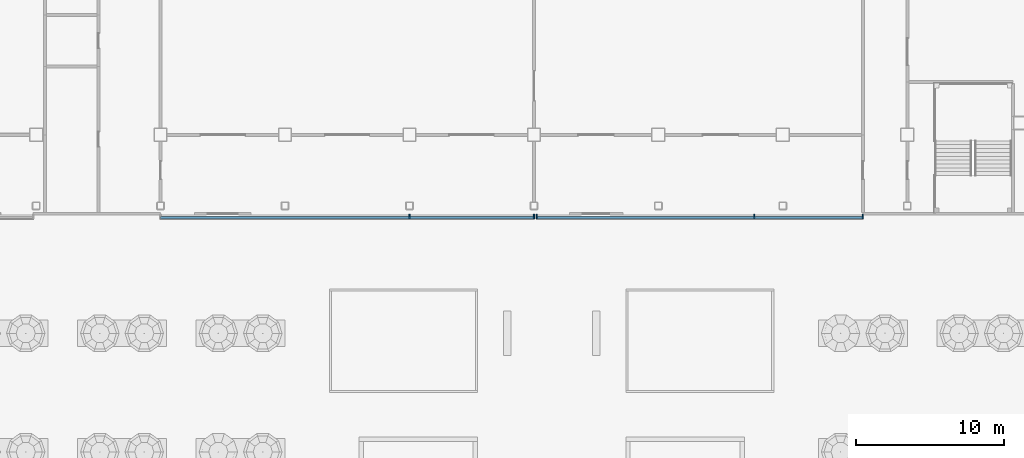
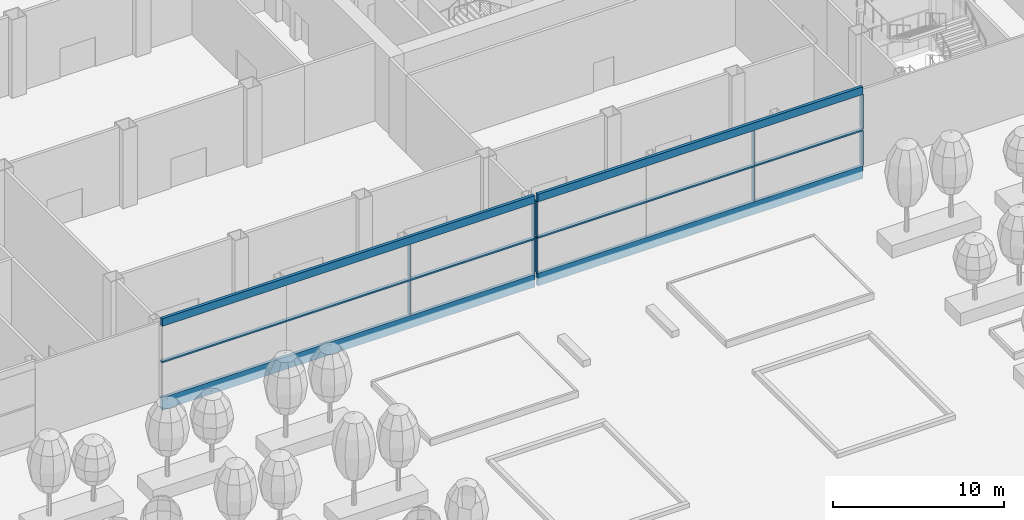
# One storey, part 13 of 100: 16 members, 2 elements without a shape of their own.
"""IFC4 building model written with IfcOpenShell, lengths in metres."""

from ifc_helpers import new_model, si_unit, direction, frame, origin, origin_2d, place, context, subcontext, project, spatial, rectangle, extrude, material, layer, layer_set, material_profile, profile_set, type_object, element, aggregate, save


model = new_model("IFC4")

# Units and contexts
model_context = context("Model", 3, precision=1e-05, world=origin(), true_north=direction((0.0, 1.0)))
body_context = subcontext(model_context, "Body", "Model", "MODEL_VIEW")
ifc_project = project(units=[si_unit("LENGTHUNIT", "METRE"), si_unit("AREAUNIT", "SQUARE_METRE"), si_unit("VOLUMEUNIT", "CUBIC_METRE"), si_unit("PLANEANGLEUNIT", "RADIAN"), si_unit("MASSUNIT", "GRAM", prefix="KILO")], contexts=[model_context])

# Site, building, storey
site_placement = place(None, origin())
site = spatial("IfcSite", under=ifc_project, at=site_placement, CompositionType="ELEMENT")
building_placement = place(site_placement, origin())
building = spatial("IfcBuilding", under=site, at=building_placement, Name="Hakoniwa Tower and Hamabe Station Hall", CompositionType="ELEMENT")
storey_placement = place(building_placement, frame((0.0, 0.0, 9.0)))
storey = spatial("IfcBuildingStorey", under=building, at=storey_placement, Name="L02", CompositionType="ELEMENT", Elevation=9.0)

# Curtain wall, member
ifc_material_1 = material(Name="Dark low-e laminated glass", Category="glass")
ifc_layer = layer(ifc_material_1, 0.199951171875)
ifc_layer_set = layer_set([ifc_layer], Name="CW-3 PODIUM LOBBY")
curtain_wall_type = type_object("IfcCurtainWallType", Name="CW-3 PODIUM LOBBY", PredefinedType="NOTDEFINED", material=ifc_layer_set)
curtain_wall_1_placement = place(storey_placement, origin())
curtain_wall_1 = element("IfcCurtainWall", 1, at=curtain_wall_1_placement, inside=storey, type_object=curtain_wall_type, Name="Podium curtain wall L02 south 2", PredefinedType="NOTDEFINED")
ifc_material_2 = material(Name="Aluminium 6063-T5 black anodised", Category="aluminium")
ifc_material_profile_1 = material_profile(ifc_material_2, rectangle(XDim=0.199951171875, YDim=0.550048828125, at=origin_2d()), Name="CW HEAD BAND 550X200")
ifc_profile_set_1 = profile_set([ifc_material_profile_1], Name="Aluminium 6063-T5 black anodised")
member_type_1 = type_object("IfcMemberType", Name="CW HEAD BAND 550X200", PredefinedType="USERDEFINED", material=ifc_profile_set_1)
member_1_placement = place(storey_placement, frame((-8.39990234375, -25.199951171875, 5.72509765625), z_axis=(1.0, 0.0, 0.0), x_axis=(0.0, 1.0, 0.0)))
member_1 = element("IfcMember", 2, at=member_1_placement, type_object=member_type_1, Name="CW-3 transom", ObjectType="TRANSOM", PredefinedType="USERDEFINED", context=body_context, shape_type="SweptSolid", body=[
    extrude(rectangle(XDim=0.199951171875, YDim=0.550048828125, at=origin_2d()), origin(), (0.0, 0.0, 1.0), 25.199951171875),
])

curtain_wall_2_placement = place(storey_placement, origin())
curtain_wall_2 = element("IfcCurtainWall", 3, at=curtain_wall_2_placement, inside=storey, type_object=curtain_wall_type, Name="Podium curtain wall L02 south 3", PredefinedType="NOTDEFINED")
member_2_placement = place(storey_placement, frame((17.0, -25.199951171875, 5.72509765625), z_axis=(1.0, 0.0, 0.0), x_axis=(0.0, 1.0, 0.0)))
member_2 = element("IfcMember", 4, at=member_2_placement, type_object=member_type_1, Name="CW-3 transom", ObjectType="TRANSOM", PredefinedType="USERDEFINED", context=body_context, shape_type="SweptSolid", body=[
    extrude(rectangle(XDim=0.199951171875, YDim=0.550048828125, at=origin_2d()), origin(), (0.0, 0.0, 1.0), 22.0),
])

# Member
ifc_material_3 = material(Name="Aluminium 6063-T5 black anodised", Category="aluminium")
ifc_material_profile_2 = material_profile(ifc_material_3, rectangle(XDim=0.199951171875, YDim=0.1201171875, at=origin_2d()), Name="CW MID TRANSOM 120X200")
ifc_profile_set_2 = profile_set([ifc_material_profile_2], Name="Aluminium 6063-T5 black anodised")
member_type_2 = type_object("IfcMemberType", Name="CW MID TRANSOM 120X200", PredefinedType="USERDEFINED", material=ifc_profile_set_2)
member_3_placement = place(storey_placement, frame((-8.39990234375, -25.199951171875, 2.89990234375), z_axis=(1.0, 0.0, 0.0), x_axis=(0.0, 1.0, 0.0)))
member_3 = element("IfcMember", 5, at=member_3_placement, type_object=member_type_2, Name="CW-3 transom", ObjectType="TRANSOM", PredefinedType="USERDEFINED", context=body_context, shape_type="SweptSolid", body=[
    extrude(rectangle(XDim=0.199951171875, YDim=0.1201171875, at=origin_2d()), origin(), (0.0, 0.0, 1.0), 25.199951171875),
])

member_4_placement = place(storey_placement, frame((17.0, -25.199951171875, 2.89990234375), z_axis=(1.0, 0.0, 0.0), x_axis=(0.0, 1.0, 0.0)))
member_4 = element("IfcMember", 6, at=member_4_placement, type_object=member_type_2, Name="CW-3 transom", ObjectType="TRANSOM", PredefinedType="USERDEFINED", context=body_context, shape_type="SweptSolid", body=[
    extrude(rectangle(XDim=0.199951171875, YDim=0.1201171875, at=origin_2d()), origin(), (0.0, 0.0, 1.0), 22.0),
])

ifc_material_4 = material(Name="Aluminium 6063-T5 black anodised", Category="aluminium")
ifc_material_profile_3 = material_profile(ifc_material_4, rectangle(XDim=0.199951171875, YDim=0.89990234375, at=origin_2d()), Name="CW SLAB-EDGE BAND 900X200")
ifc_profile_set_3 = profile_set([ifc_material_profile_3], Name="Aluminium 6063-T5 black anodised")
member_type_3 = type_object("IfcMemberType", Name="CW SLAB-EDGE BAND 900X200", PredefinedType="USERDEFINED", material=ifc_profile_set_3)
member_5_placement = place(storey_placement, frame((-8.39990234375, -25.199951171875, -0.10009765625), z_axis=(1.0, 0.0, 0.0), x_axis=(0.0, 1.0, 0.0)))
member_5 = element("IfcMember", 7, at=member_5_placement, type_object=member_type_3, Name="CW-3 transom", ObjectType="TRANSOM", PredefinedType="USERDEFINED", context=body_context, shape_type="SweptSolid", body=[
    extrude(rectangle(XDim=0.199951171875, YDim=0.89990234375, at=origin_2d()), origin(), (0.0, 0.0, 1.0), 25.199951171875),
])

member_6_placement = place(storey_placement, frame((17.0, -25.199951171875, -0.10009765625), z_axis=(1.0, 0.0, 0.0), x_axis=(0.0, 1.0, 0.0)))
member_6 = element("IfcMember", 8, at=member_6_placement, type_object=member_type_3, Name="CW-3 transom", ObjectType="TRANSOM", PredefinedType="USERDEFINED", context=body_context, shape_type="SweptSolid", body=[
    extrude(rectangle(XDim=0.199951171875, YDim=0.89990234375, at=origin_2d()), origin(), (0.0, 0.0, 1.0), 22.0),
])

ifc_material_5 = material(Name="Aluminium 6063-T5 black anodised", Category="aluminium")
ifc_material_profile_4 = material_profile(ifc_material_5, rectangle(XDim=0.080078125, YDim=0.300048828125, at=origin_2d()), Name="CW-3 MULLION 80X300")
ifc_profile_set_4 = profile_set([ifc_material_profile_4], Name="Aluminium 6063-T5 black anodised")
member_type_4 = type_object("IfcMemberType", Name="CW-3 MULLION 80X300", PredefinedType="MULLION", material=ifc_profile_set_4)
member_7_placement = place(storey_placement, frame((8.39990234375, -25.1220703125, 0.35009765625), z_axis=(0.0, 0.0, 1.0), x_axis=(1.0, 0.0, 0.0)))
member_7 = element("IfcMember", 9, at=member_7_placement, type_object=member_type_4, Name="CW-3 mullion", PredefinedType="MULLION", context=body_context, shape_type="SweptSolid", body=[
    extrude(rectangle(XDim=0.080078125, YDim=0.300048828125, at=origin_2d()), origin(), (0.0, 0.0, 1.0), 2.489990234375),
])

member_8_placement = place(storey_placement, frame((8.39990234375, -25.1220703125, 2.9599609375), z_axis=(0.0, 0.0, 1.0), x_axis=(1.0, 0.0, 0.0)))
member_8 = element("IfcMember", 10, at=member_8_placement, type_object=member_type_4, Name="CW-3 mullion", PredefinedType="MULLION", context=body_context, shape_type="SweptSolid", body=[
    extrude(rectangle(XDim=0.080078125, YDim=0.300048828125, at=origin_2d()), origin(), (0.0, 0.0, 1.0), 2.489990234375),
])

member_9_placement = place(storey_placement, frame((16.800048828125, -25.1220703125, 0.35009765625), z_axis=(0.0, 0.0, 1.0), x_axis=(1.0, 0.0, 0.0)))
member_9 = element("IfcMember", 11, at=member_9_placement, type_object=member_type_4, Name="CW-3 mullion", PredefinedType="MULLION", context=body_context, shape_type="SweptSolid", body=[
    extrude(rectangle(XDim=0.080078125, YDim=0.300048828125, at=origin_2d()), origin(), (0.0, 0.0, 1.0), 2.489990234375),
])

member_10_placement = place(storey_placement, frame((16.800048828125, -25.1220703125, 2.9599609375), z_axis=(0.0, 0.0, 1.0), x_axis=(1.0, 0.0, 0.0)))
member_10 = element("IfcMember", 12, at=member_10_placement, type_object=member_type_4, Name="CW-3 mullion", PredefinedType="MULLION", context=body_context, shape_type="SweptSolid", body=[
    extrude(rectangle(XDim=0.080078125, YDim=0.300048828125, at=origin_2d()), origin(), (0.0, 0.0, 1.0), 2.489990234375),
])

aggregate(curtain_wall_1, [member_7, member_8, member_9, member_10, member_5, member_3, member_1])

member_11_placement = place(storey_placement, frame((17.0, -25.1220703125, 0.35009765625), z_axis=(0.0, 0.0, 1.0), x_axis=(1.0, 0.0, 0.0)))
member_11 = element("IfcMember", 13, at=member_11_placement, type_object=member_type_4, Name="CW-3 mullion", PredefinedType="MULLION", context=body_context, shape_type="SweptSolid", body=[
    extrude(rectangle(XDim=0.080078125, YDim=0.300048828125, at=origin_2d()), origin(), (0.0, 0.0, 1.0), 2.489990234375),
])

member_12_placement = place(storey_placement, frame((17.0, -25.1220703125, 2.9599609375), z_axis=(0.0, 0.0, 1.0), x_axis=(1.0, 0.0, 0.0)))
member_12 = element("IfcMember", 14, at=member_12_placement, type_object=member_type_4, Name="CW-3 mullion", PredefinedType="MULLION", context=body_context, shape_type="SweptSolid", body=[
    extrude(rectangle(XDim=0.080078125, YDim=0.300048828125, at=origin_2d()), origin(), (0.0, 0.0, 1.0), 2.489990234375),
])

member_13_placement = place(storey_placement, frame((31.666748046875, -25.1220703125, 0.35009765625), z_axis=(0.0, 0.0, 1.0), x_axis=(1.0, 0.0, 0.0)))
member_13 = element("IfcMember", 15, at=member_13_placement, type_object=member_type_4, Name="CW-3 mullion", PredefinedType="MULLION", context=body_context, shape_type="SweptSolid", body=[
    extrude(rectangle(XDim=0.080078125, YDim=0.300048828125, at=origin_2d()), origin(), (0.0, 0.0, 1.0), 2.489990234375),
])

member_14_placement = place(storey_placement, frame((31.666748046875, -25.1220703125, 2.9599609375), z_axis=(0.0, 0.0, 1.0), x_axis=(1.0, 0.0, 0.0)))
member_14 = element("IfcMember", 16, at=member_14_placement, type_object=member_type_4, Name="CW-3 mullion", PredefinedType="MULLION", context=body_context, shape_type="SweptSolid", body=[
    extrude(rectangle(XDim=0.080078125, YDim=0.300048828125, at=origin_2d()), origin(), (0.0, 0.0, 1.0), 2.489990234375),
])

member_15_placement = place(storey_placement, frame((39.0, -25.1220703125, 0.35009765625), z_axis=(0.0, 0.0, 1.0), x_axis=(1.0, 0.0, 0.0)))
member_15 = element("IfcMember", 17, at=member_15_placement, type_object=member_type_4, Name="CW-3 mullion", PredefinedType="MULLION", context=body_context, shape_type="SweptSolid", body=[
    extrude(rectangle(XDim=0.080078125, YDim=0.300048828125, at=origin_2d()), origin(), (0.0, 0.0, 1.0), 2.489990234375),
])

member_16_placement = place(storey_placement, frame((39.0, -25.1220703125, 2.9599609375), z_axis=(0.0, 0.0, 1.0), x_axis=(1.0, 0.0, 0.0)))
member_16 = element("IfcMember", 18, at=member_16_placement, type_object=member_type_4, Name="CW-3 mullion", PredefinedType="MULLION", context=body_context, shape_type="SweptSolid", body=[
    extrude(rectangle(XDim=0.080078125, YDim=0.300048828125, at=origin_2d()), origin(), (0.0, 0.0, 1.0), 2.489990234375),
])

aggregate(curtain_wall_2, [member_11, member_12, member_13, member_14, member_15, member_16, member_6, member_4, member_2])

save(model, "model.ifc")
